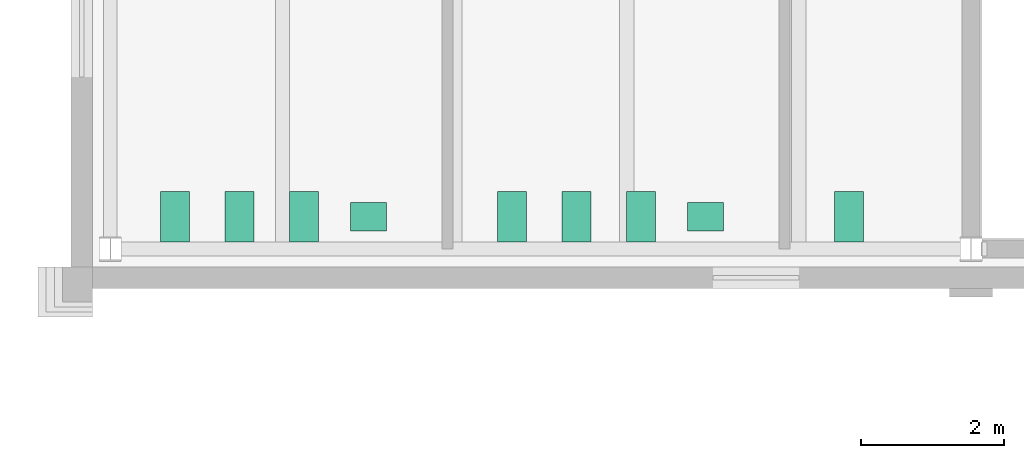
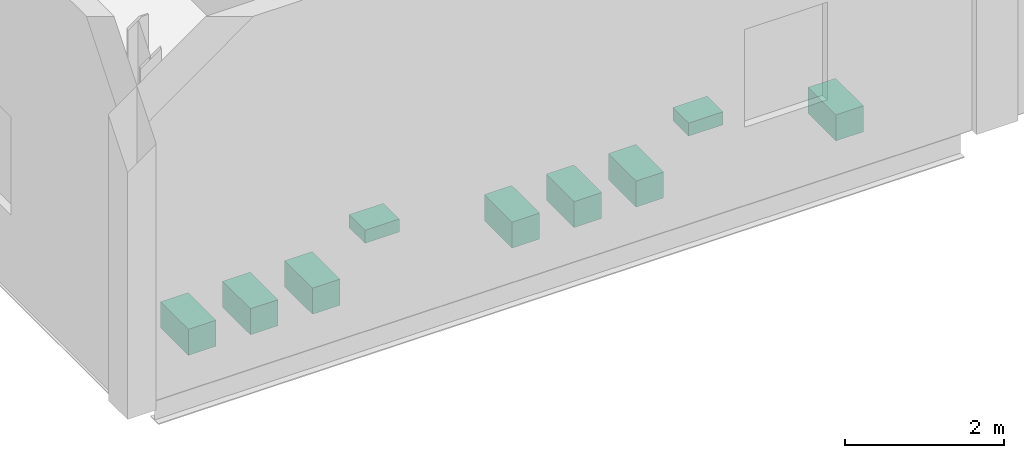
# One storey, part 321 of 321: 9 sanitary terminals.
"""IFC4 building model written with IfcOpenShell, lengths in metres."""

from ifc_helpers import new_model, si_unit, direction, frame, origin, origin_2d, place, context, subcontext, project, spatial, rectangle, extrude, material, type_object, element, save


model = new_model("IFC4")

# Units and contexts
model_context = context("Model", 3, precision=1e-05, world=origin(), true_north=direction((0.0, 1.0)))
body_context = subcontext(model_context, "Body", "Model", "MODEL_VIEW")
ifc_project = project(units=[si_unit("LENGTHUNIT", "METRE"), si_unit("AREAUNIT", "SQUARE_METRE"), si_unit("VOLUMEUNIT", "CUBIC_METRE"), si_unit("PLANEANGLEUNIT", "RADIAN"), si_unit("MASSUNIT", "GRAM", prefix="KILO")], contexts=[model_context])

# Site, building, storey
site_placement = place(None, origin())
site = spatial("IfcSite", under=ifc_project, at=site_placement, CompositionType="ELEMENT")
building_placement = place(site_placement, origin())
building = spatial("IfcBuilding", under=site, at=building_placement, Name="Ravi Spectrum Wholesale Market", CompositionType="ELEMENT")
storey_placement = place(building_placement, frame((0.0, 0.0, 10.800048828125)))
storey = spatial("IfcBuildingStorey", under=building, at=storey_placement, Name="L02", CompositionType="ELEMENT", Elevation=10.800048828125)

# Sanitary terminals
ifc_material_1 = material(Name="Vitreous china")
sanitary_terminal_type_1 = type_object("IfcSanitaryTerminalType", Name="Wash hand basin", PredefinedType="WASHHANDBASIN", material=ifc_material_1)
for number, where, z_axis, x_axis, name in (
    (1, (201.60009765625, 18.449951171875, 0.7001953125), (0.0, 0.0, 1.0), (1.0, 0.0, 0.0), "Basin L02-CS-14-4"),
    (2, (206.300048828125, 18.449951171875, 0.7001953125), (0.0, 0.0, 1.0), (1.0, 0.0, 0.0), "Basin L02-CS-15-4"),
):
    element("IfcSanitaryTerminal", number, at=place(storey_placement, frame(where, z_axis=z_axis, x_axis=x_axis)), inside=storey, type_object=sanitary_terminal_type_1, Name=name, PredefinedType="WASHHANDBASIN", context=body_context, shape_type="SweptSolid", body=[
        extrude(rectangle(XDim=0.5, YDim=0.39990234375, at=origin_2d()), origin(), (0.0, 0.0, 1.0), 0.199951171875),
    ])
ifc_material_2 = material(Name="Vitreous china")
sanitary_terminal_type_2 = type_object("IfcSanitaryTerminalType", Name="Water closet pan", PredefinedType="WCSEAT", material=ifc_material_2)
for number, where, z_axis, x_axis, name in (
    (3, (198.89990234375, 18.449951171875, 0.0), (0.0, 0.0, 1.0), (1.0, 0.0, 0.0), "Water closet L02-CS-14-1"),
    (4, (199.800048828125, 18.449951171875, 0.0), (0.0, 0.0, 1.0), (1.0, 0.0, 0.0), "Water closet L02-CS-14-2"),
    (5, (200.699951171875, 18.449951171875, 0.0), (0.0, 0.0, 1.0), (1.0, 0.0, 0.0), "Water closet L02-CS-14-3"),
    (6, (203.60009765625, 18.449951171875, 0.0), (0.0, 0.0, 1.0), (1.0, 0.0, 0.0), "Water closet L02-CS-15-1"),
    (7, (204.5, 18.449951171875, 0.0), (0.0, 0.0, 1.0), (1.0, 0.0, 0.0), "Water closet L02-CS-15-2"),
    (8, (205.39990234375, 18.449951171875, 0.0), (0.0, 0.0, 1.0), (1.0, 0.0, 0.0), "Water closet L02-CS-15-3"),
    (9, (208.300048828125, 18.449951171875, 0.0), (0.0, 0.0, 1.0), (1.0, 0.0, 0.0), "Water closet L02-CS-16-1"),
):
    element("IfcSanitaryTerminal", number, at=place(storey_placement, frame(where, z_axis=z_axis, x_axis=x_axis)), inside=storey, type_object=sanitary_terminal_type_2, Name=name, PredefinedType="WCSEAT", context=body_context, shape_type="SweptSolid", body=[
        extrude(rectangle(XDim=0.39990234375, YDim=0.699951171875, at=origin_2d()), origin(), (0.0, 0.0, 1.0), 0.39990234375),
    ])

save(model, "model.ifc")
